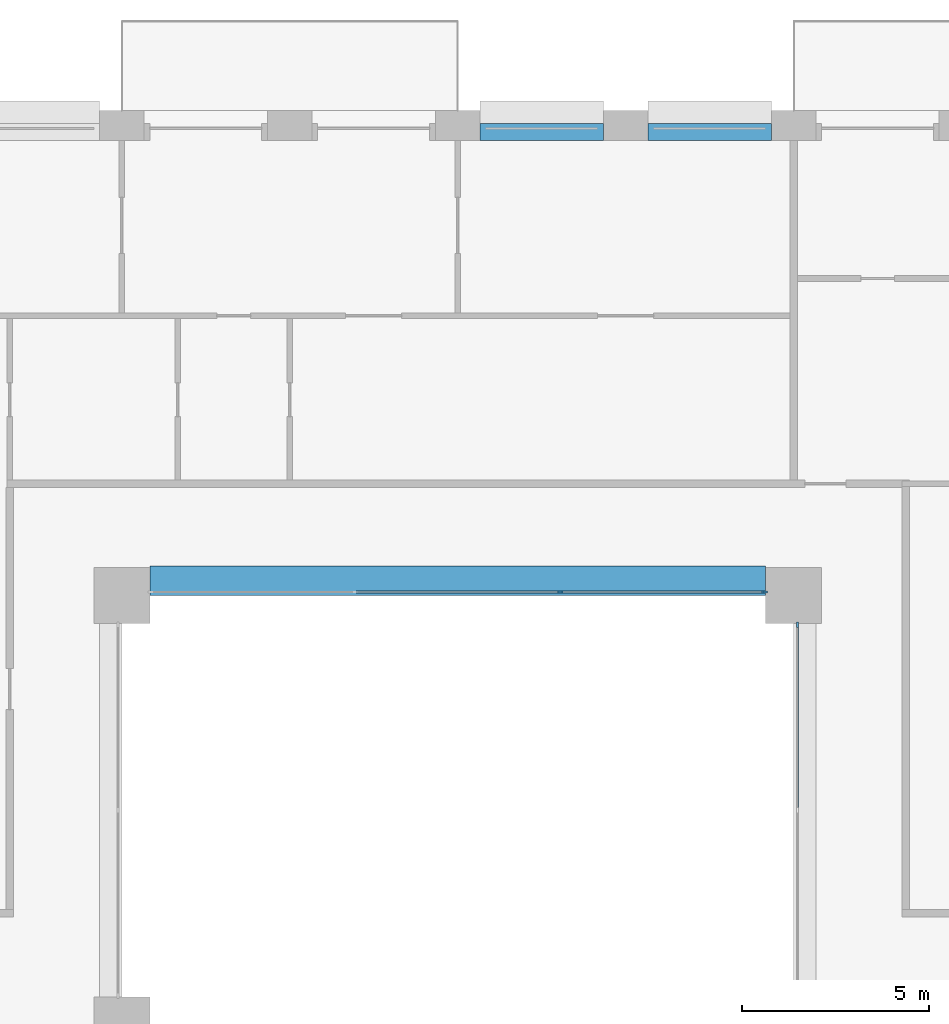
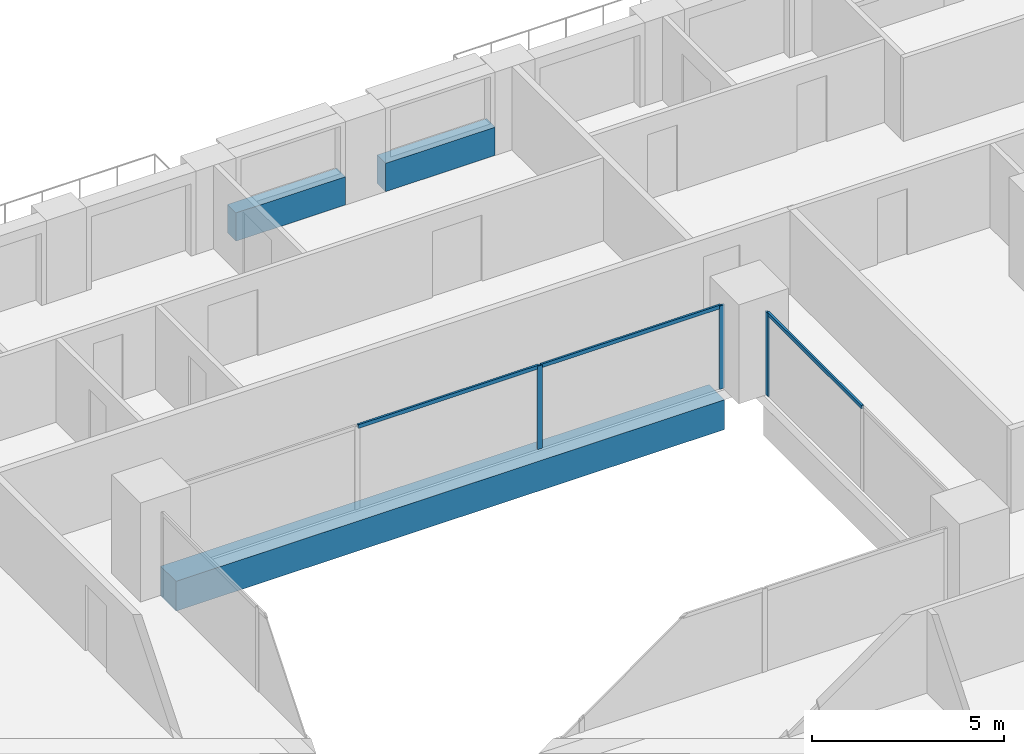
# One storey, part 7 of 20: 6 members, 3 beams, 2 elements without a shape of their own.
"""IFC4 building model written with IfcOpenShell, lengths in metres."""

from ifc_helpers import new_model, si_unit, direction, frame, origin, origin_2d, place, context, subcontext, project, spatial, rectangle, extrude, material, layer, layer_set, material_profile, profile_set, type_object, element, aggregate, save


model = new_model("IFC4")

# Units and contexts
model_context = context("Model", 3, precision=1e-05, world=origin(), true_north=direction((0.0, 1.0)))
body_context = subcontext(model_context, "Body", "Model", "MODEL_VIEW")
ifc_project = project(units=[si_unit("LENGTHUNIT", "METRE"), si_unit("AREAUNIT", "SQUARE_METRE"), si_unit("VOLUMEUNIT", "CUBIC_METRE"), si_unit("PLANEANGLEUNIT", "RADIAN"), si_unit("MASSUNIT", "GRAM", prefix="KILO")], contexts=[model_context])

# Site, building, storey
site_placement = place(None, origin())
site = spatial("IfcSite", under=ifc_project, at=site_placement, CompositionType="ELEMENT")
building_placement = place(site_placement, origin())
building = spatial("IfcBuilding", under=site, at=building_placement, Name="Brigalow Station Residences", CompositionType="ELEMENT")
storey_placement = place(building_placement, frame((0.0, 0.0, 69.89990234375)))
storey = spatial("IfcBuildingStorey", under=building, at=storey_placement, Name="L20", CompositionType="ELEMENT", Elevation=69.89990234375)

# Beam
ifc_material_1 = material(Name="Concrete C65", Category="concrete")
ifc_material_profile_1 = material_profile(ifc_material_1, rectangle(XDim=0.800048828125, YDim=0.949951171875, at=origin_2d()), Name="RC800x950")
ifc_profile_set_1 = profile_set([ifc_material_profile_1], Name="Concrete C65")
beam_type_1 = type_object("IfcBeamType", Name="ATRIUM EDGE GIRDER OVER 13.5 M SPAN 800x950 C65", PredefinedType="BEAM", material=ifc_profile_set_1)
beam_placement = place(storey_placement, frame((27.75, 35.89990234375, -0.794921875), z_axis=(1.0, 0.0, 0.0), x_axis=(0.0, 1.0, 0.0)))
element("IfcBeam", 1, at=beam_placement, inside=storey, type_object=beam_type_1, Name="ATRIUM EDGE GIRDER D L20", PredefinedType="BEAM", context=body_context, shape_type="SweptSolid", body=[
    extrude(rectangle(XDim=0.800048828125, YDim=0.949951171875, at=origin_2d()), origin(), (0.0, 0.0, 1.0), 16.5),
])

# Curtain wall, member
ifc_material_2 = material(Name="Aluminium", Category="aluminium")
ifc_layer = layer(ifc_material_2, 0.14990234375)
ifc_layer_set = layer_set([ifc_layer], Name="ATRIUM FIRE-RATED GLAZING CURTAIN WALL")
curtain_wall_type = type_object("IfcCurtainWallType", Name="ATRIUM FIRE-RATED GLAZING CURTAIN WALL", PredefinedType="NOTDEFINED", material=ifc_layer_set)
curtain_wall_1_placement = place(storey_placement, origin())
curtain_wall_1 = element("IfcCurtainWall", 2, at=curtain_wall_1_placement, inside=storey, type_object=curtain_wall_type, Name="L20/cw/atrium-E", PredefinedType="NOTDEFINED")
ifc_material_3 = material(Name="Aluminium", Category="aluminium")
ifc_material_profile_2 = material_profile(ifc_material_3, rectangle(XDim=0.06005859375, YDim=0.14990234375, at=origin_2d()), Name="ATRIUM FIRE-RATED GLAZING MULLION 60x150")
ifc_profile_set_2 = profile_set([ifc_material_profile_2], Name="Aluminium")
member_type_1 = type_object("IfcMemberType", Name="ATRIUM FIRE-RATED GLAZING MULLION 60x150", PredefinedType="MULLION", material=ifc_profile_set_2)
member_1_placement = place(storey_placement, frame((45.10009765625, 34.719970703125, 0.0), z_axis=(0.0, 0.0, 1.0), x_axis=(-1.0, 0.0, 0.0)))
member_1 = element("IfcMember", 3, at=member_1_placement, type_object=member_type_1, Name="L20/cw/atrium-E/M02", PredefinedType="MULLION", context=body_context, shape_type="SweptSolid", body=[
    extrude(rectangle(XDim=0.06005859375, YDim=0.14990234375, at=origin_2d()), origin(), (0.0, 0.0, 1.0), 2.650146484375),
])

# Curtain wall, members
curtain_wall_2_placement = place(storey_placement, origin())
curtain_wall_2 = element("IfcCurtainWall", 4, at=curtain_wall_2_placement, inside=storey, type_object=curtain_wall_type, Name="L20/cw/atrium-N", PredefinedType="NOTDEFINED")
member_2_placement = place(storey_placement, frame((44.219970703125, 35.60009765625, 0.0), z_axis=(0.0, 0.0, 1.0), x_axis=(0.0, -1.0, 0.0)))
member_2 = element("IfcMember", 5, at=member_2_placement, type_object=member_type_1, Name="L20/cw/atrium-N/M00", PredefinedType="MULLION", context=body_context, shape_type="SweptSolid", body=[
    extrude(rectangle(XDim=0.06005859375, YDim=0.14990234375, at=origin_2d()), origin(), (0.0, 0.0, 1.0), 2.650146484375),
])
member_3_placement = place(storey_placement, frame((38.75, 35.60009765625, 0.0), z_axis=(0.0, 0.0, 1.0), x_axis=(0.0, -1.0, 0.0)))
member_3 = element("IfcMember", 6, at=member_3_placement, type_object=member_type_1, Name="L20/cw/atrium-N/M01", PredefinedType="MULLION", context=body_context, shape_type="SweptSolid", body=[
    extrude(rectangle(XDim=0.06005859375, YDim=0.14990234375, at=origin_2d()), origin(), (0.0, 0.0, 1.0), 2.650146484375),
])

# Member
ifc_material_4 = material(Name="Aluminium", Category="aluminium")
ifc_material_profile_3 = material_profile(ifc_material_4, rectangle(XDim=0.06005859375, YDim=0.1201171875, at=origin_2d()), Name="ATRIUM FIRE-RATED GLAZING TRANSOM 60x120")
ifc_profile_set_3 = profile_set([ifc_material_profile_3], Name="Aluminium")
member_type_2 = type_object("IfcMemberType", Name="ATRIUM FIRE-RATED GLAZING TRANSOM 60x120", PredefinedType="USERDEFINED", material=ifc_profile_set_3)
member_4_placement = place(storey_placement, frame((45.10009765625, 29.780029296875, 2.6201171875), z_axis=(0.0, 1.0, 0.0), x_axis=(-1.0, 0.0, 0.0)))
member_4 = element("IfcMember", 7, at=member_4_placement, type_object=member_type_2, Name="L20/cw/atrium-E/T01-00", ObjectType="TRANSOM", PredefinedType="USERDEFINED", context=body_context, shape_type="SweptSolid", body=[
    extrude(rectangle(XDim=0.06005859375, YDim=0.1201171875, at=origin_2d()), origin(), (0.0, 0.0, 1.0), 4.909912109375),
])

aggregate(curtain_wall_1, [member_1, member_4])

member_5_placement = place(storey_placement, frame((44.18994140625, 35.60009765625, 2.6201171875), z_axis=(-1.0, 0.0, 0.0), x_axis=(0.0, -1.0, 0.0)))
member_5 = element("IfcMember", 8, at=member_5_placement, type_object=member_type_2, Name="L20/cw/atrium-N/T00-00", ObjectType="TRANSOM", PredefinedType="USERDEFINED", context=body_context, shape_type="SweptSolid", body=[
    extrude(rectangle(XDim=0.06005859375, YDim=0.1201171875, at=origin_2d()), origin(), (0.0, 0.0, 1.0), 5.409912109375),
])

member_6_placement = place(storey_placement, frame((38.719970703125, 35.60009765625, 2.6201171875), z_axis=(-1.0, 0.0, 0.0), x_axis=(0.0, -1.0, 0.0)))
member_6 = element("IfcMember", 9, at=member_6_placement, type_object=member_type_2, Name="L20/cw/atrium-N/T01-00", ObjectType="TRANSOM", PredefinedType="USERDEFINED", context=body_context, shape_type="SweptSolid", body=[
    extrude(rectangle(XDim=0.06005859375, YDim=0.1201171875, at=origin_2d()), origin(), (0.0, 0.0, 1.0), 5.43994140625),
])

aggregate(curtain_wall_2, [member_2, member_3, member_5, member_6])

# Beams
ifc_material_5 = material(Name="Concrete C65", Category="concrete")
ifc_material_profile_4 = material_profile(ifc_material_5, rectangle(XDim=0.449951171875, YDim=0.89990234375, at=origin_2d()), Name="RC450x900")
ifc_profile_set_4 = profile_set([ifc_material_profile_4], Name="Concrete C65")
beam_type_2 = type_object("IfcBeamType", Name="SPANDREL BEAM 450x900 C65", PredefinedType="SPANDREL", material=ifc_profile_set_4)
for number, where, z_axis, x_axis, name in (
    (10, (44.39990234375, 47.925048828125, 0.4501953125), (-1.0, 0.0, 0.0), (0.0, -1.0, 0.0), "L20/spandrel/W-L20-31"),
    (11, (39.89990234375, 47.925048828125, 0.4501953125), (-1.0, 0.0, 0.0), (0.0, -1.0, 0.0), "L20/spandrel/W-L20-32"),
):
    element("IfcBeam", number, at=place(storey_placement, frame(where, z_axis=z_axis, x_axis=x_axis)), inside=storey, type_object=beam_type_2, Name=name, PredefinedType="SPANDREL", context=body_context, shape_type="SweptSolid", body=[
        extrude(rectangle(XDim=0.449951171875, YDim=0.89990234375, at=origin_2d()), origin(), (0.0, 0.0, 1.0), 3.2998046875),
    ])

save(model, "model.ifc")
